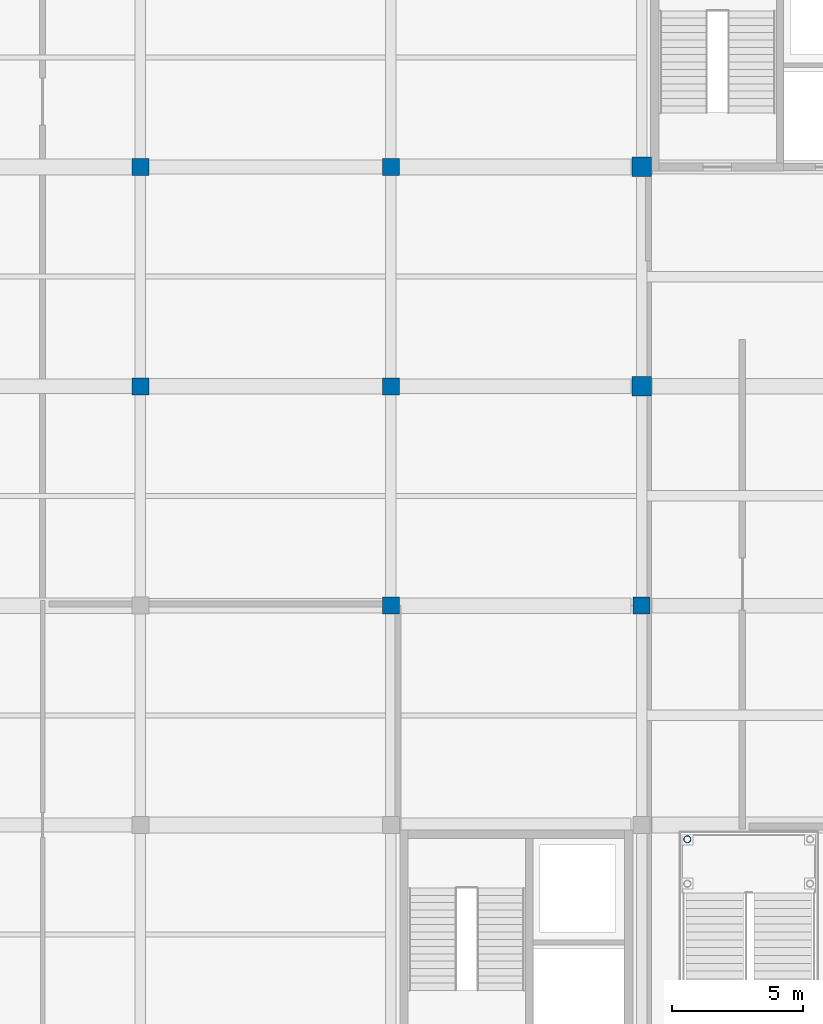
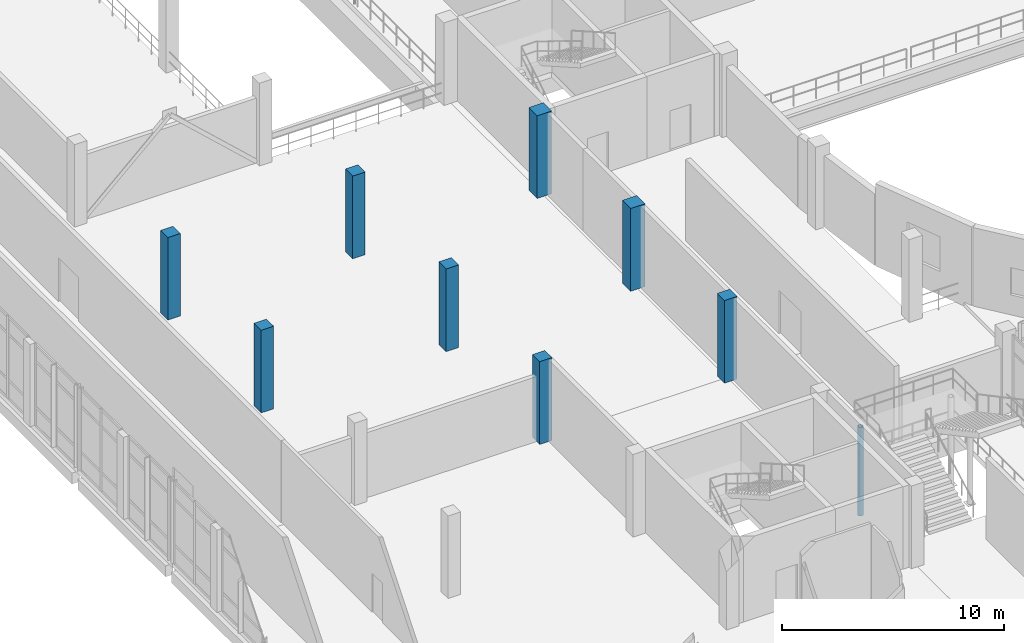
# One storey, part 4 of 102: 9 columns.
"""IFC4 building model written with IfcOpenShell, lengths in metres."""

from ifc_helpers import new_model, si_unit, direction, frame, origin, origin_2d, place, context, subcontext, project, spatial, rectangle, hollow_circle, extrude, material, material_profile, profile_set, type_object, element, save


model = new_model("IFC4")

# Units and contexts
model_context = context("Model", 3, precision=1e-05, world=origin(), true_north=direction((0.0, 1.0)))
body_context = subcontext(model_context, "Body", "Model", "MODEL_VIEW")
ifc_project = project(units=[si_unit("LENGTHUNIT", "METRE"), si_unit("AREAUNIT", "SQUARE_METRE"), si_unit("VOLUMEUNIT", "CUBIC_METRE"), si_unit("PLANEANGLEUNIT", "RADIAN"), si_unit("MASSUNIT", "GRAM", prefix="KILO")], contexts=[model_context])

# Site, building, storey
site_placement = place(None, origin())
site = spatial("IfcSite", under=ifc_project, at=site_placement, CompositionType="ELEMENT")
building_placement = place(site_placement, origin())
building = spatial("IfcBuilding", under=site, at=building_placement, Name="Lornevale Opera House", CompositionType="ELEMENT")
storey_placement = place(building_placement, frame((0.0, 0.0, 5.39990234375)))
storey = spatial("IfcBuildingStorey", under=building, at=storey_placement, Name="L02", CompositionType="ELEMENT", Elevation=5.39990234375)

# Columns
ifc_material_1 = material(Name="Concrete 40 MPa (CSA A23.1 C-1)", Category="concrete")
ifc_material_profile_1 = material_profile(ifc_material_1, rectangle(XDim=0.64990234375, YDim=0.64990234375, at=origin_2d()), Name="RC650x650")
ifc_profile_set_1 = profile_set([ifc_material_profile_1], Name="Concrete 40 MPa (CSA A23.1 C-1)")
column_type_1 = type_object("IfcColumnType", Name="Concrete Column 650x650", PredefinedType="COLUMN", material=ifc_profile_set_1)
for number, where, z_axis, x_axis, name in (
    (1, (38.39990234375, 50.39990234375, 0.0), (0.0, 0.0, 1.0), (1.0, 0.0, 0.0), "Concrete Column 650x650 0248"),
    (2, (38.39990234375, 58.800048828125, 0.0), (0.0, 0.0, 1.0), (1.0, 0.0, 0.0), "Concrete Column 650x650 0253"),
):
    element("IfcColumn", number, at=place(storey_placement, frame(where, z_axis=z_axis, x_axis=x_axis)), inside=storey, type_object=column_type_1, Name=name, PredefinedType="COLUMN", context=body_context, shape_type="SweptSolid", body=[
        extrude(rectangle(XDim=0.64990234375, YDim=0.64990234375, at=origin_2d()), origin(), (0.0, 0.0, 1.0), 4.530029296875),
    ])
for number, where, z_axis, x_axis, name in (
    (3, (48.0, 42.0, 0.0), (0.0, 0.0, 1.0), (1.0, 0.0, 0.0), "Concrete Column 650x650 0307"),
    (4, (48.0, 50.39990234375, 0.0), (0.0, 0.0, 1.0), (1.0, 0.0, 0.0), "Concrete Column 650x650 0312"),
    (5, (48.0, 58.800048828125, 0.0), (0.0, 0.0, 1.0), (1.0, 0.0, 0.0), "Concrete Column 650x650 0317"),
    (6, (57.60009765625, 42.0, 0.0), (0.0, 0.0, 1.0), (1.0, 0.0, 0.0), "Concrete Column 650x650 0370"),
):
    element("IfcColumn", number, at=place(storey_placement, frame(where, z_axis=z_axis, x_axis=x_axis)), inside=storey, type_object=column_type_1, Name=name, PredefinedType="COLUMN", context=body_context, shape_type="SweptSolid", body=[
        extrude(rectangle(XDim=0.64990234375, YDim=0.64990234375, at=origin_2d()), origin(), (0.0, 0.0, 1.0), 4.5400390625),
    ])
ifc_material_profile_2 = material_profile(ifc_material_1, rectangle(XDim=0.75, YDim=0.75, at=origin_2d()), Name="RC750x750")
ifc_profile_set_2 = profile_set([ifc_material_profile_2], Name="Concrete 40 MPa (CSA A23.1 C-1)")
column_type_2 = type_object("IfcColumnType", Name="Concrete Column 750x750", PredefinedType="COLUMN", material=ifc_profile_set_2)
for number, where, z_axis, x_axis, name in (
    (7, (57.60009765625, 50.39990234375, 0.0), (0.0, 0.0, 1.0), (1.0, 0.0, 0.0), "Concrete Column 750x750 0375"),
    (8, (57.60009765625, 58.800048828125, 0.0), (0.0, 0.0, 1.0), (1.0, 0.0, 0.0), "Concrete Column 750x750 0382"),
):
    element("IfcColumn", number, at=place(storey_placement, frame(where, z_axis=z_axis, x_axis=x_axis)), inside=storey, type_object=column_type_2, Name=name, PredefinedType="COLUMN", context=body_context, shape_type="SweptSolid", body=[
        extrude(rectangle(XDim=0.75, YDim=0.75, at=origin_2d()), origin(), (0.0, 0.0, 1.0), 4.5400390625),
    ])
ifc_material_2 = material(Name="Structural Steel CSA G40.21 Grade 350W (350 MPa)", Category="steel")
ifc_material_profile_3 = material_profile(ifc_material_2, hollow_circle(Radius=0.136474609375, WallThickness=0.010986328125, at=origin_2d()), Name="HSS273x11")
ifc_profile_set_3 = profile_set([ifc_material_profile_3], Name="Structural Steel CSA G40.21 Grade 350W (350 MPa)")
column_type_3 = type_object("IfcColumnType", Name="Promenade Ramp Mast HSS273x11", PredefinedType="COLUMN", material=ifc_profile_set_3)
column_placement = place(storey_placement, frame((59.35009765625, 33.050048828125, -2.699951171875), z_axis=(0.0, 0.0, 1.0), x_axis=(1.0, 0.0, 0.0)))
element("IfcColumn", 9, at=column_placement, inside=storey, type_object=column_type_3, Name="Grand Stair Landing Post L02 1125", PredefinedType="COLUMN", context=body_context, shape_type="SweptSolid", body=[
    extrude(hollow_circle(Radius=0.136474609375, WallThickness=0.010986328125, at=origin_2d()), origin(), (0.0, 0.0, 1.0), 4.860107421875),
])

save(model, "model.ifc")
